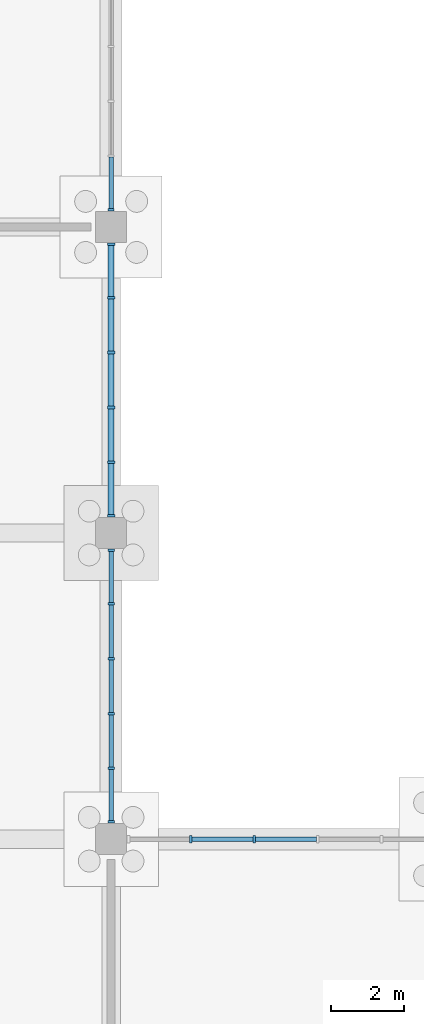
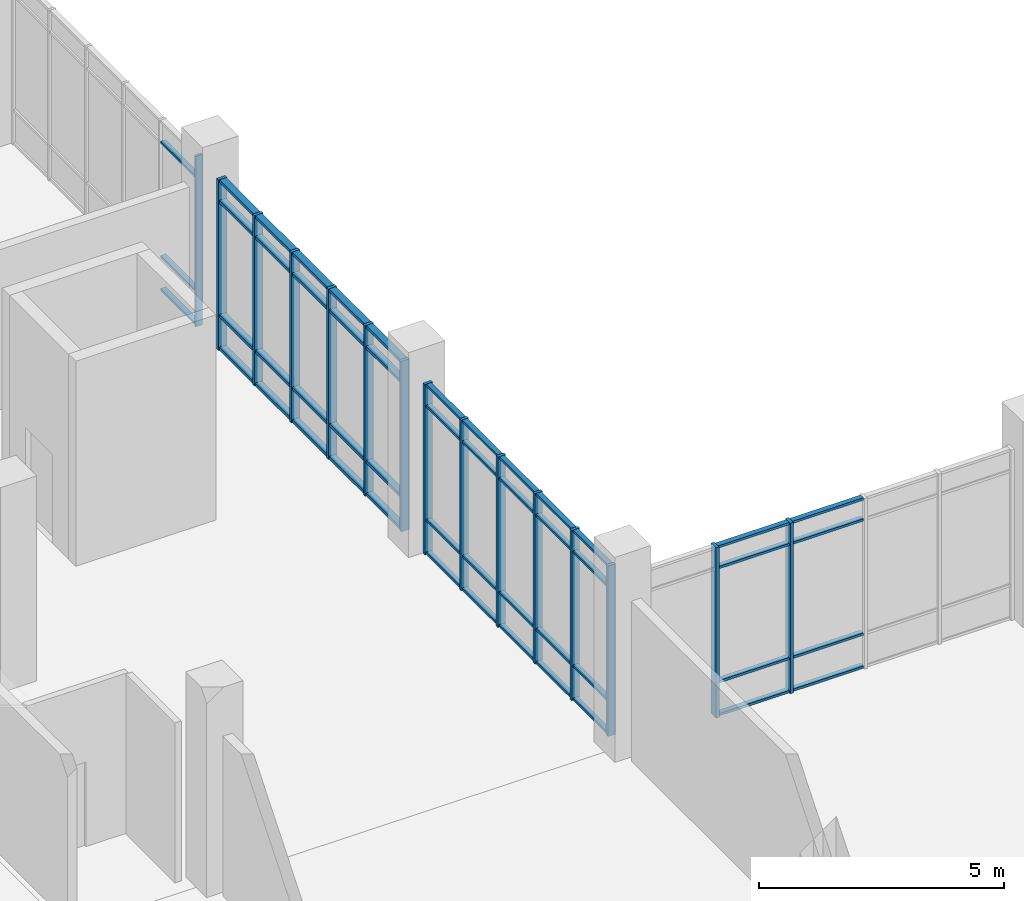
# One storey, part 31 of 136: 66 members, 4 elements without a shape of their own.
"""IFC4 building model written with IfcOpenShell, lengths in metres."""

from ifc_helpers import new_model, si_unit, direction, frame, origin, origin_2d, place, context, subcontext, project, spatial, rectangle, extrude, material, material_profile, profile_set, type_object, element, aggregate, save


model = new_model("IFC4")

# Units and contexts
model_context = context("Model", 3, precision=1e-05, world=origin(), true_north=direction((0.0, 1.0)))
body_context = subcontext(model_context, "Body", "Model", "MODEL_VIEW")
ifc_project = project(units=[si_unit("LENGTHUNIT", "METRE"), si_unit("AREAUNIT", "SQUARE_METRE"), si_unit("VOLUMEUNIT", "CUBIC_METRE"), si_unit("PLANEANGLEUNIT", "RADIAN"), si_unit("MASSUNIT", "GRAM", prefix="KILO")], contexts=[model_context])

# Site, building, storey
site_placement = place(None, origin())
site = spatial("IfcSite", under=ifc_project, at=site_placement, CompositionType="ELEMENT")
building_placement = place(site_placement, origin())
building = spatial("IfcBuilding", under=site, at=building_placement, Name="Oolite Switchyard Hospital", CompositionType="ELEMENT")
storey_placement = place(building_placement, origin())
storey = spatial("IfcBuildingStorey", under=building, at=storey_placement, Name="L00", CompositionType="ELEMENT", Elevation=0.0)

# Curtain wall, member
ifc_material_1 = material(Name="Thermally broken aluminum frame with laminated impact glazing", Category="aluminium")
curtain_wall_type_1 = type_object("IfcCurtainWallType", Name="CW-UNIT-84X51", PredefinedType="USERDEFINED", material=ifc_material_1)
curtain_wall_1_placement = place(storey_placement, origin())
curtain_wall_1 = element("IfcCurtainWall", 1, at=curtain_wall_1_placement, inside=storey, type_object=curtain_wall_type_1, Name="L00 Unitised Curtain Wall 60", ObjectType="UNITISED", PredefinedType="USERDEFINED")
ifc_material_2 = material(Name="Aluminium 6063-T6", Category="aluminium")
ifc_material_profile_1 = material_profile(ifc_material_2, rectangle(XDim=0.159912109375, YDim=0.06005859375, at=origin_2d()), Name="CWM60X160")
ifc_profile_set_1 = profile_set([ifc_material_profile_1], Name="Aluminium 6063-T6")
member_type_1 = type_object("IfcMemberType", Name="CW-MUL-180", PredefinedType="MULLION", material=ifc_profile_set_1)
member_1_placement = place(storey_placement, frame((57.60009765625, 50.8701171875, 0.0), z_axis=(0.0, 0.0, 1.0), x_axis=(1.0, 0.0, 0.0)))
member_1 = element("IfcMember", 2, at=member_1_placement, type_object=member_type_1, Name="CW-06 mullion 6", PredefinedType="MULLION", context=body_context, shape_type="SweptSolid", body=[
    extrude(rectangle(XDim=0.159912109375, YDim=0.06005859375, at=origin_2d()), origin(), (0.0, 0.0, 1.0), 4.239990234375),
])

# Curtain wall, members
curtain_wall_2_placement = place(storey_placement, origin())
curtain_wall_2 = element("IfcCurtainWall", 3, at=curtain_wall_2_placement, inside=storey, type_object=curtain_wall_type_1, Name="L00 Unitised Curtain Wall 58", ObjectType="UNITISED", PredefinedType="USERDEFINED")
ifc_material_profile_2 = material_profile(ifc_material_2, rectangle(XDim=0.179931640625, YDim=0.070068359375, at=origin_2d()), Name="CWM70X180")
ifc_profile_set_2 = profile_set([ifc_material_profile_2], Name="Aluminium 6063-T6")
member_type_2 = type_object("IfcMemberType", Name="CW-MUL-220", PredefinedType="MULLION", material=ifc_profile_set_2)
member_2_placement = place(storey_placement, frame((57.60009765625, 41.52490234375, 0.0), z_axis=(0.0, 0.0, 1.0), x_axis=(1.0, 0.0, 0.0)))
member_2 = element("IfcMember", 4, at=member_2_placement, type_object=member_type_2, Name="CW-06 mullion 1", PredefinedType="MULLION", context=body_context, shape_type="SweptSolid", body=[
    extrude(rectangle(XDim=0.179931640625, YDim=0.070068359375, at=origin_2d()), origin(), (0.0, 0.0, 1.0), 4.239990234375),
])
member_3_placement = place(storey_placement, frame((57.60009765625, 40.055908203125, 0.0), z_axis=(0.0, 0.0, 1.0), x_axis=(1.0, 0.0, 0.0)))
member_3 = element("IfcMember", 5, at=member_3_placement, type_object=member_type_2, Name="CW-06 mullion 2", PredefinedType="MULLION", context=body_context, shape_type="SweptSolid", body=[
    extrude(rectangle(XDim=0.179931640625, YDim=0.070068359375, at=origin_2d()), origin(), (0.0, 0.0, 1.0), 4.239990234375),
])
member_4_placement = place(storey_placement, frame((57.60009765625, 38.552001953125, 0.0), z_axis=(0.0, 0.0, 1.0), x_axis=(1.0, 0.0, 0.0)))
member_4 = element("IfcMember", 6, at=member_4_placement, type_object=member_type_2, Name="CW-06 mullion 3", PredefinedType="MULLION", context=body_context, shape_type="SweptSolid", body=[
    extrude(rectangle(XDim=0.179931640625, YDim=0.070068359375, at=origin_2d()), origin(), (0.0, 0.0, 1.0), 4.239990234375),
])
member_5_placement = place(storey_placement, frame((57.60009765625, 37.048095703125, 0.0), z_axis=(0.0, 0.0, 1.0), x_axis=(1.0, 0.0, 0.0)))
member_5 = element("IfcMember", 7, at=member_5_placement, type_object=member_type_2, Name="CW-06 mullion 4", PredefinedType="MULLION", context=body_context, shape_type="SweptSolid", body=[
    extrude(rectangle(XDim=0.179931640625, YDim=0.070068359375, at=origin_2d()), origin(), (0.0, 0.0, 1.0), 4.239990234375),
])
member_6_placement = place(storey_placement, frame((57.60009765625, 35.5439453125, 0.0), z_axis=(0.0, 0.0, 1.0), x_axis=(1.0, 0.0, 0.0)))
member_6 = element("IfcMember", 8, at=member_6_placement, type_object=member_type_2, Name="CW-06 mullion 5", PredefinedType="MULLION", context=body_context, shape_type="SweptSolid", body=[
    extrude(rectangle(XDim=0.179931640625, YDim=0.070068359375, at=origin_2d()), origin(), (0.0, 0.0, 1.0), 4.239990234375),
])
member_7_placement = place(storey_placement, frame((57.60009765625, 34.074951171875, 0.0), z_axis=(0.0, 0.0, 1.0), x_axis=(1.0, 0.0, 0.0)))
member_7 = element("IfcMember", 9, at=member_7_placement, type_object=member_type_2, Name="CW-06 mullion 6", PredefinedType="MULLION", context=body_context, shape_type="SweptSolid", body=[
    extrude(rectangle(XDim=0.179931640625, YDim=0.070068359375, at=origin_2d()), origin(), (0.0, 0.0, 1.0), 4.239990234375),
])

curtain_wall_type_2 = type_object("IfcCurtainWallType", Name="CW-UNIT-96X51", PredefinedType="USERDEFINED", material=ifc_material_1)
curtain_wall_3_placement = place(storey_placement, origin())
curtain_wall_3 = element("IfcCurtainWall", 10, at=curtain_wall_3_placement, inside=storey, type_object=curtain_wall_type_2, Name="L00 Unitised Curtain Wall 14", ObjectType="UNITISED", PredefinedType="USERDEFINED")
ifc_material_profile_3 = material_profile(ifc_material_2, rectangle(XDim=0.199951171875, YDim=0.074951171875, at=origin_2d()), Name="CWM75X200")
ifc_profile_set_3 = profile_set([ifc_material_profile_3], Name="Aluminium 6063-T6")
member_type_3 = type_object("IfcMemberType", Name="CW-MUL-260", PredefinedType="MULLION", material=ifc_profile_set_3)
member_8_placement = place(storey_placement, frame((59.783935546875, 33.60009765625, 0.0), z_axis=(0.0, 0.0, 1.0), x_axis=(0.0, 1.0, 0.0)))
member_8 = element("IfcMember", 11, at=member_8_placement, type_object=member_type_3, Name="CW-01 mullion 2", PredefinedType="MULLION", context=body_context, shape_type="SweptSolid", body=[
    extrude(rectangle(XDim=0.199951171875, YDim=0.074951171875, at=origin_2d()), origin(), (0.0, 0.0, 1.0), 4.239990234375),
])
member_9_placement = place(storey_placement, frame((61.528076171875, 33.60009765625, 0.0), z_axis=(0.0, 0.0, 1.0), x_axis=(0.0, 1.0, 0.0)))
member_9 = element("IfcMember", 12, at=member_9_placement, type_object=member_type_3, Name="CW-01 mullion 3", PredefinedType="MULLION", context=body_context, shape_type="SweptSolid", body=[
    extrude(rectangle(XDim=0.199951171875, YDim=0.074951171875, at=origin_2d()), origin(), (0.0, 0.0, 1.0), 4.239990234375),
])

curtain_wall_4_placement = place(storey_placement, origin())
curtain_wall_4 = element("IfcCurtainWall", 13, at=curtain_wall_4_placement, inside=storey, type_object=curtain_wall_type_1, Name="L00 Unitised Curtain Wall 59", ObjectType="UNITISED", PredefinedType="USERDEFINED")
member_10_placement = place(storey_placement, frame((57.60009765625, 49.922607421875, 0.0), z_axis=(0.0, 0.0, 1.0), x_axis=(1.0, 0.0, 0.0)))
member_10 = element("IfcMember", 14, at=member_10_placement, type_object=member_type_3, Name="CW-06 mullion 1", PredefinedType="MULLION", context=body_context, shape_type="SweptSolid", body=[
    extrude(rectangle(XDim=0.199951171875, YDim=0.074951171875, at=origin_2d()), origin(), (0.0, 0.0, 1.0), 4.239990234375),
])
member_11_placement = place(storey_placement, frame((57.60009765625, 48.4560546875, 0.0), z_axis=(0.0, 0.0, 1.0), x_axis=(1.0, 0.0, 0.0)))
member_11 = element("IfcMember", 15, at=member_11_placement, type_object=member_type_3, Name="CW-06 mullion 2", PredefinedType="MULLION", context=body_context, shape_type="SweptSolid", body=[
    extrude(rectangle(XDim=0.199951171875, YDim=0.074951171875, at=origin_2d()), origin(), (0.0, 0.0, 1.0), 4.239990234375),
])
member_12_placement = place(storey_placement, frame((57.60009765625, 46.951904296875, 0.0), z_axis=(0.0, 0.0, 1.0), x_axis=(1.0, 0.0, 0.0)))
member_12 = element("IfcMember", 16, at=member_12_placement, type_object=member_type_3, Name="CW-06 mullion 3", PredefinedType="MULLION", context=body_context, shape_type="SweptSolid", body=[
    extrude(rectangle(XDim=0.199951171875, YDim=0.074951171875, at=origin_2d()), origin(), (0.0, 0.0, 1.0), 4.239990234375),
])
member_13_placement = place(storey_placement, frame((57.60009765625, 45.447998046875, 0.0), z_axis=(0.0, 0.0, 1.0), x_axis=(1.0, 0.0, 0.0)))
member_13 = element("IfcMember", 17, at=member_13_placement, type_object=member_type_3, Name="CW-06 mullion 4", PredefinedType="MULLION", context=body_context, shape_type="SweptSolid", body=[
    extrude(rectangle(XDim=0.199951171875, YDim=0.074951171875, at=origin_2d()), origin(), (0.0, 0.0, 1.0), 4.239990234375),
])
member_14_placement = place(storey_placement, frame((57.60009765625, 43.944091796875, 0.0), z_axis=(0.0, 0.0, 1.0), x_axis=(1.0, 0.0, 0.0)))
member_14 = element("IfcMember", 18, at=member_14_placement, type_object=member_type_3, Name="CW-06 mullion 5", PredefinedType="MULLION", context=body_context, shape_type="SweptSolid", body=[
    extrude(rectangle(XDim=0.199951171875, YDim=0.074951171875, at=origin_2d()), origin(), (0.0, 0.0, 1.0), 4.239990234375),
])
member_15_placement = place(storey_placement, frame((57.60009765625, 42.4775390625, 0.0), z_axis=(0.0, 0.0, 1.0), x_axis=(1.0, 0.0, 0.0)))
member_15 = element("IfcMember", 19, at=member_15_placement, type_object=member_type_3, Name="CW-06 mullion 6", PredefinedType="MULLION", context=body_context, shape_type="SweptSolid", body=[
    extrude(rectangle(XDim=0.199951171875, YDim=0.074951171875, at=origin_2d()), origin(), (0.0, 0.0, 1.0), 4.239990234375),
])

# Member
ifc_material_profile_4 = material_profile(ifc_material_2, rectangle(XDim=0.1201171875, YDim=0.06005859375, at=origin_2d()), Name="CWT60X120")
ifc_profile_set_4 = profile_set([ifc_material_profile_4], Name="Aluminium 6063-T6")
member_type_4 = type_object("IfcMemberType", Name="CW-TRN-150", PredefinedType="USERDEFINED", material=ifc_profile_set_4)
member_16_placement = place(storey_placement, frame((59.821533203125, 33.60009765625, 0.030029296875), z_axis=(1.0, 0.0, 0.0), x_axis=(0.0, 1.0, 0.0)))
member_16 = element("IfcMember", 20, at=member_16_placement, type_object=member_type_4, Name="CW-01 transom 2.1", ObjectType="TRANSOM", PredefinedType="USERDEFINED", context=body_context, shape_type="SweptSolid", body=[
    extrude(rectangle(XDim=0.1201171875, YDim=0.06005859375, at=origin_2d()), origin(), (0.0, 0.0, 1.0), 1.6689453125),
])

member_17_placement = place(storey_placement, frame((59.821533203125, 33.60009765625, 0.85009765625), z_axis=(1.0, 0.0, 0.0), x_axis=(0.0, 1.0, 0.0)))
member_17 = element("IfcMember", 21, at=member_17_placement, type_object=member_type_4, Name="CW-01 transom 2.2", ObjectType="TRANSOM", PredefinedType="USERDEFINED", context=body_context, shape_type="SweptSolid", body=[
    extrude(rectangle(XDim=0.1201171875, YDim=0.06005859375, at=origin_2d()), origin(), (0.0, 0.0, 1.0), 1.6689453125),
])

member_18_placement = place(storey_placement, frame((59.821533203125, 33.60009765625, 3.68994140625), z_axis=(1.0, 0.0, 0.0), x_axis=(0.0, 1.0, 0.0)))
member_18 = element("IfcMember", 22, at=member_18_placement, type_object=member_type_4, Name="CW-01 transom 2.3", ObjectType="TRANSOM", PredefinedType="USERDEFINED", context=body_context, shape_type="SweptSolid", body=[
    extrude(rectangle(XDim=0.1201171875, YDim=0.06005859375, at=origin_2d()), origin(), (0.0, 0.0, 1.0), 1.6689453125),
])

member_19_placement = place(storey_placement, frame((59.821533203125, 33.60009765625, 4.2099609375), z_axis=(1.0, 0.0, 0.0), x_axis=(0.0, 1.0, 0.0)))
member_19 = element("IfcMember", 23, at=member_19_placement, type_object=member_type_4, Name="CW-01 transom 2.4", ObjectType="TRANSOM", PredefinedType="USERDEFINED", context=body_context, shape_type="SweptSolid", body=[
    extrude(rectangle(XDim=0.1201171875, YDim=0.06005859375, at=origin_2d()), origin(), (0.0, 0.0, 1.0), 1.6689453125),
])

member_20_placement = place(storey_placement, frame((61.5654296875, 33.60009765625, 0.030029296875), z_axis=(1.0, 0.0, 0.0), x_axis=(0.0, 1.0, 0.0)))
member_20 = element("IfcMember", 24, at=member_20_placement, type_object=member_type_4, Name="CW-01 transom 3.1", ObjectType="TRANSOM", PredefinedType="USERDEFINED", context=body_context, shape_type="SweptSolid", body=[
    extrude(rectangle(XDim=0.1201171875, YDim=0.06005859375, at=origin_2d()), origin(), (0.0, 0.0, 1.0), 1.669189453125),
])

member_21_placement = place(storey_placement, frame((61.5654296875, 33.60009765625, 0.85009765625), z_axis=(1.0, 0.0, 0.0), x_axis=(0.0, 1.0, 0.0)))
member_21 = element("IfcMember", 25, at=member_21_placement, type_object=member_type_4, Name="CW-01 transom 3.2", ObjectType="TRANSOM", PredefinedType="USERDEFINED", context=body_context, shape_type="SweptSolid", body=[
    extrude(rectangle(XDim=0.1201171875, YDim=0.06005859375, at=origin_2d()), origin(), (0.0, 0.0, 1.0), 1.669189453125),
])

member_22_placement = place(storey_placement, frame((61.5654296875, 33.60009765625, 3.68994140625), z_axis=(1.0, 0.0, 0.0), x_axis=(0.0, 1.0, 0.0)))
member_22 = element("IfcMember", 26, at=member_22_placement, type_object=member_type_4, Name="CW-01 transom 3.3", ObjectType="TRANSOM", PredefinedType="USERDEFINED", context=body_context, shape_type="SweptSolid", body=[
    extrude(rectangle(XDim=0.1201171875, YDim=0.06005859375, at=origin_2d()), origin(), (0.0, 0.0, 1.0), 1.669189453125),
])

member_23_placement = place(storey_placement, frame((61.5654296875, 33.60009765625, 4.2099609375), z_axis=(1.0, 0.0, 0.0), x_axis=(0.0, 1.0, 0.0)))
member_23 = element("IfcMember", 27, at=member_23_placement, type_object=member_type_4, Name="CW-01 transom 3.4", ObjectType="TRANSOM", PredefinedType="USERDEFINED", context=body_context, shape_type="SweptSolid", body=[
    extrude(rectangle(XDim=0.1201171875, YDim=0.06005859375, at=origin_2d()), origin(), (0.0, 0.0, 1.0), 1.669189453125),
])

aggregate(curtain_wall_3, [member_8, member_9, member_16, member_17, member_18, member_19, member_20, member_21, member_22, member_23])

member_24_placement = place(storey_placement, frame((57.60009765625, 41.489990234375, 0.030029296875), z_axis=(0.0, -1.0, 0.0), x_axis=(1.0, 0.0, 0.0)))
member_24 = element("IfcMember", 28, at=member_24_placement, type_object=member_type_4, Name="CW-06 transom 1.1", ObjectType="TRANSOM", PredefinedType="USERDEFINED", context=body_context, shape_type="SweptSolid", body=[
    extrude(rectangle(XDim=0.1201171875, YDim=0.06005859375, at=origin_2d()), origin(), (0.0, 0.0, 1.0), 1.39892578125),
])

member_25_placement = place(storey_placement, frame((57.60009765625, 41.489990234375, 0.85009765625), z_axis=(0.0, -1.0, 0.0), x_axis=(1.0, 0.0, 0.0)))
member_25 = element("IfcMember", 29, at=member_25_placement, type_object=member_type_4, Name="CW-06 transom 1.2", ObjectType="TRANSOM", PredefinedType="USERDEFINED", context=body_context, shape_type="SweptSolid", body=[
    extrude(rectangle(XDim=0.1201171875, YDim=0.06005859375, at=origin_2d()), origin(), (0.0, 0.0, 1.0), 1.39892578125),
])

member_26_placement = place(storey_placement, frame((57.60009765625, 41.489990234375, 3.68994140625), z_axis=(0.0, -1.0, 0.0), x_axis=(1.0, 0.0, 0.0)))
member_26 = element("IfcMember", 30, at=member_26_placement, type_object=member_type_4, Name="CW-06 transom 1.3", ObjectType="TRANSOM", PredefinedType="USERDEFINED", context=body_context, shape_type="SweptSolid", body=[
    extrude(rectangle(XDim=0.1201171875, YDim=0.06005859375, at=origin_2d()), origin(), (0.0, 0.0, 1.0), 1.39892578125),
])

member_27_placement = place(storey_placement, frame((57.60009765625, 41.489990234375, 4.2099609375), z_axis=(0.0, -1.0, 0.0), x_axis=(1.0, 0.0, 0.0)))
member_27 = element("IfcMember", 31, at=member_27_placement, type_object=member_type_4, Name="CW-06 transom 1.4", ObjectType="TRANSOM", PredefinedType="USERDEFINED", context=body_context, shape_type="SweptSolid", body=[
    extrude(rectangle(XDim=0.1201171875, YDim=0.06005859375, at=origin_2d()), origin(), (0.0, 0.0, 1.0), 1.39892578125),
])

member_28_placement = place(storey_placement, frame((57.60009765625, 40.02099609375, 0.030029296875), z_axis=(0.0, -1.0, 0.0), x_axis=(1.0, 0.0, 0.0)))
member_28 = element("IfcMember", 32, at=member_28_placement, type_object=member_type_4, Name="CW-06 transom 2.1", ObjectType="TRANSOM", PredefinedType="USERDEFINED", context=body_context, shape_type="SweptSolid", body=[
    extrude(rectangle(XDim=0.1201171875, YDim=0.06005859375, at=origin_2d()), origin(), (0.0, 0.0, 1.0), 1.43408203125),
])

member_29_placement = place(storey_placement, frame((57.60009765625, 40.02099609375, 0.85009765625), z_axis=(0.0, -1.0, 0.0), x_axis=(1.0, 0.0, 0.0)))
member_29 = element("IfcMember", 33, at=member_29_placement, type_object=member_type_4, Name="CW-06 transom 2.2", ObjectType="TRANSOM", PredefinedType="USERDEFINED", context=body_context, shape_type="SweptSolid", body=[
    extrude(rectangle(XDim=0.1201171875, YDim=0.06005859375, at=origin_2d()), origin(), (0.0, 0.0, 1.0), 1.43408203125),
])

member_30_placement = place(storey_placement, frame((57.60009765625, 40.02099609375, 3.68994140625), z_axis=(0.0, -1.0, 0.0), x_axis=(1.0, 0.0, 0.0)))
member_30 = element("IfcMember", 34, at=member_30_placement, type_object=member_type_4, Name="CW-06 transom 2.3", ObjectType="TRANSOM", PredefinedType="USERDEFINED", context=body_context, shape_type="SweptSolid", body=[
    extrude(rectangle(XDim=0.1201171875, YDim=0.06005859375, at=origin_2d()), origin(), (0.0, 0.0, 1.0), 1.43408203125),
])

member_31_placement = place(storey_placement, frame((57.60009765625, 40.02099609375, 4.2099609375), z_axis=(0.0, -1.0, 0.0), x_axis=(1.0, 0.0, 0.0)))
member_31 = element("IfcMember", 35, at=member_31_placement, type_object=member_type_4, Name="CW-06 transom 2.4", ObjectType="TRANSOM", PredefinedType="USERDEFINED", context=body_context, shape_type="SweptSolid", body=[
    extrude(rectangle(XDim=0.1201171875, YDim=0.06005859375, at=origin_2d()), origin(), (0.0, 0.0, 1.0), 1.43408203125),
])

member_32_placement = place(storey_placement, frame((57.60009765625, 38.51708984375, 0.030029296875), z_axis=(0.0, -1.0, 0.0), x_axis=(1.0, 0.0, 0.0)))
member_32 = element("IfcMember", 36, at=member_32_placement, type_object=member_type_4, Name="CW-06 transom 3.1", ObjectType="TRANSOM", PredefinedType="USERDEFINED", context=body_context, shape_type="SweptSolid", body=[
    extrude(rectangle(XDim=0.1201171875, YDim=0.06005859375, at=origin_2d()), origin(), (0.0, 0.0, 1.0), 1.43408203125),
])

member_33_placement = place(storey_placement, frame((57.60009765625, 38.51708984375, 0.85009765625), z_axis=(0.0, -1.0, 0.0), x_axis=(1.0, 0.0, 0.0)))
member_33 = element("IfcMember", 37, at=member_33_placement, type_object=member_type_4, Name="CW-06 transom 3.2", ObjectType="TRANSOM", PredefinedType="USERDEFINED", context=body_context, shape_type="SweptSolid", body=[
    extrude(rectangle(XDim=0.1201171875, YDim=0.06005859375, at=origin_2d()), origin(), (0.0, 0.0, 1.0), 1.43408203125),
])

member_34_placement = place(storey_placement, frame((57.60009765625, 38.51708984375, 3.68994140625), z_axis=(0.0, -1.0, 0.0), x_axis=(1.0, 0.0, 0.0)))
member_34 = element("IfcMember", 38, at=member_34_placement, type_object=member_type_4, Name="CW-06 transom 3.3", ObjectType="TRANSOM", PredefinedType="USERDEFINED", context=body_context, shape_type="SweptSolid", body=[
    extrude(rectangle(XDim=0.1201171875, YDim=0.06005859375, at=origin_2d()), origin(), (0.0, 0.0, 1.0), 1.43408203125),
])

member_35_placement = place(storey_placement, frame((57.60009765625, 38.51708984375, 4.2099609375), z_axis=(0.0, -1.0, 0.0), x_axis=(1.0, 0.0, 0.0)))
member_35 = element("IfcMember", 39, at=member_35_placement, type_object=member_type_4, Name="CW-06 transom 3.4", ObjectType="TRANSOM", PredefinedType="USERDEFINED", context=body_context, shape_type="SweptSolid", body=[
    extrude(rectangle(XDim=0.1201171875, YDim=0.06005859375, at=origin_2d()), origin(), (0.0, 0.0, 1.0), 1.43408203125),
])

member_36_placement = place(storey_placement, frame((57.60009765625, 37.012939453125, 0.030029296875), z_axis=(0.0, -1.0, 0.0), x_axis=(1.0, 0.0, 0.0)))
member_36 = element("IfcMember", 40, at=member_36_placement, type_object=member_type_4, Name="CW-06 transom 4.1", ObjectType="TRANSOM", PredefinedType="USERDEFINED", context=body_context, shape_type="SweptSolid", body=[
    extrude(rectangle(XDim=0.1201171875, YDim=0.06005859375, at=origin_2d()), origin(), (0.0, 0.0, 1.0), 1.433837890625),
])

member_37_placement = place(storey_placement, frame((57.60009765625, 37.012939453125, 0.85009765625), z_axis=(0.0, -1.0, 0.0), x_axis=(1.0, 0.0, 0.0)))
member_37 = element("IfcMember", 41, at=member_37_placement, type_object=member_type_4, Name="CW-06 transom 4.2", ObjectType="TRANSOM", PredefinedType="USERDEFINED", context=body_context, shape_type="SweptSolid", body=[
    extrude(rectangle(XDim=0.1201171875, YDim=0.06005859375, at=origin_2d()), origin(), (0.0, 0.0, 1.0), 1.433837890625),
])

member_38_placement = place(storey_placement, frame((57.60009765625, 37.012939453125, 3.68994140625), z_axis=(0.0, -1.0, 0.0), x_axis=(1.0, 0.0, 0.0)))
member_38 = element("IfcMember", 42, at=member_38_placement, type_object=member_type_4, Name="CW-06 transom 4.3", ObjectType="TRANSOM", PredefinedType="USERDEFINED", context=body_context, shape_type="SweptSolid", body=[
    extrude(rectangle(XDim=0.1201171875, YDim=0.06005859375, at=origin_2d()), origin(), (0.0, 0.0, 1.0), 1.433837890625),
])

member_39_placement = place(storey_placement, frame((57.60009765625, 37.012939453125, 4.2099609375), z_axis=(0.0, -1.0, 0.0), x_axis=(1.0, 0.0, 0.0)))
member_39 = element("IfcMember", 43, at=member_39_placement, type_object=member_type_4, Name="CW-06 transom 4.4", ObjectType="TRANSOM", PredefinedType="USERDEFINED", context=body_context, shape_type="SweptSolid", body=[
    extrude(rectangle(XDim=0.1201171875, YDim=0.06005859375, at=origin_2d()), origin(), (0.0, 0.0, 1.0), 1.433837890625),
])

member_40_placement = place(storey_placement, frame((57.60009765625, 35.509033203125, 0.030029296875), z_axis=(0.0, -1.0, 0.0), x_axis=(1.0, 0.0, 0.0)))
member_40 = element("IfcMember", 44, at=member_40_placement, type_object=member_type_4, Name="CW-06 transom 5.1", ObjectType="TRANSOM", PredefinedType="USERDEFINED", context=body_context, shape_type="SweptSolid", body=[
    extrude(rectangle(XDim=0.1201171875, YDim=0.06005859375, at=origin_2d()), origin(), (0.0, 0.0, 1.0), 1.39892578125),
])

member_41_placement = place(storey_placement, frame((57.60009765625, 35.509033203125, 0.85009765625), z_axis=(0.0, -1.0, 0.0), x_axis=(1.0, 0.0, 0.0)))
member_41 = element("IfcMember", 45, at=member_41_placement, type_object=member_type_4, Name="CW-06 transom 5.2", ObjectType="TRANSOM", PredefinedType="USERDEFINED", context=body_context, shape_type="SweptSolid", body=[
    extrude(rectangle(XDim=0.1201171875, YDim=0.06005859375, at=origin_2d()), origin(), (0.0, 0.0, 1.0), 1.39892578125),
])

member_42_placement = place(storey_placement, frame((57.60009765625, 35.509033203125, 3.68994140625), z_axis=(0.0, -1.0, 0.0), x_axis=(1.0, 0.0, 0.0)))
member_42 = element("IfcMember", 46, at=member_42_placement, type_object=member_type_4, Name="CW-06 transom 5.3", ObjectType="TRANSOM", PredefinedType="USERDEFINED", context=body_context, shape_type="SweptSolid", body=[
    extrude(rectangle(XDim=0.1201171875, YDim=0.06005859375, at=origin_2d()), origin(), (0.0, 0.0, 1.0), 1.39892578125),
])

member_43_placement = place(storey_placement, frame((57.60009765625, 35.509033203125, 4.2099609375), z_axis=(0.0, -1.0, 0.0), x_axis=(1.0, 0.0, 0.0)))
member_43 = element("IfcMember", 47, at=member_43_placement, type_object=member_type_4, Name="CW-06 transom 5.4", ObjectType="TRANSOM", PredefinedType="USERDEFINED", context=body_context, shape_type="SweptSolid", body=[
    extrude(rectangle(XDim=0.1201171875, YDim=0.06005859375, at=origin_2d()), origin(), (0.0, 0.0, 1.0), 1.39892578125),
])

aggregate(curtain_wall_2, [member_2, member_3, member_4, member_5, member_6, member_7, member_24, member_25, member_26, member_27, member_28, member_29, member_30, member_31, member_32, member_33, member_34, member_35, member_36, member_37, member_38, member_39, member_40, member_41, member_42, member_43])

member_44_placement = place(storey_placement, frame((57.60009765625, 52.31396484375, 0.030029296875), z_axis=(0.0, -1.0, 0.0), x_axis=(1.0, 0.0, 0.0)))
member_44 = element("IfcMember", 48, at=member_44_placement, type_object=member_type_4, Name="CW-06 transom 5.1", ObjectType="TRANSOM", PredefinedType="USERDEFINED", context=body_context, shape_type="SweptSolid", body=[
    extrude(rectangle(XDim=0.1201171875, YDim=0.06005859375, at=origin_2d()), origin(), (0.0, 0.0, 1.0), 1.4140625),
])

member_45_placement = place(storey_placement, frame((57.60009765625, 52.31396484375, 0.85009765625), z_axis=(0.0, -1.0, 0.0), x_axis=(1.0, 0.0, 0.0)))
member_45 = element("IfcMember", 49, at=member_45_placement, type_object=member_type_4, Name="CW-06 transom 5.2", ObjectType="TRANSOM", PredefinedType="USERDEFINED", context=body_context, shape_type="SweptSolid", body=[
    extrude(rectangle(XDim=0.1201171875, YDim=0.06005859375, at=origin_2d()), origin(), (0.0, 0.0, 1.0), 1.4140625),
])

member_46_placement = place(storey_placement, frame((57.60009765625, 52.31396484375, 3.68994140625), z_axis=(0.0, -1.0, 0.0), x_axis=(1.0, 0.0, 0.0)))
member_46 = element("IfcMember", 50, at=member_46_placement, type_object=member_type_4, Name="CW-06 transom 5.3", ObjectType="TRANSOM", PredefinedType="USERDEFINED", context=body_context, shape_type="SweptSolid", body=[
    extrude(rectangle(XDim=0.1201171875, YDim=0.06005859375, at=origin_2d()), origin(), (0.0, 0.0, 1.0), 1.4140625),
])

aggregate(curtain_wall_1, [member_1, member_44, member_45, member_46])

ifc_material_profile_5 = material_profile(ifc_material_2, rectangle(XDim=0.159912109375, YDim=0.074951171875, at=origin_2d()), Name="CWT75X160")
ifc_profile_set_5 = profile_set([ifc_material_profile_5], Name="Aluminium 6063-T6")
member_type_5 = type_object("IfcMemberType", Name="CW-TRN-180", PredefinedType="USERDEFINED", material=ifc_profile_set_5)
member_47_placement = place(storey_placement, frame((57.60009765625, 49.885009765625, 0.03759765625), z_axis=(0.0, -1.0, 0.0), x_axis=(1.0, 0.0, 0.0)))
member_47 = element("IfcMember", 51, at=member_47_placement, type_object=member_type_5, Name="CW-06 transom 1.1", ObjectType="TRANSOM", PredefinedType="USERDEFINED", context=body_context, shape_type="SweptSolid", body=[
    extrude(rectangle(XDim=0.159912109375, YDim=0.074951171875, at=origin_2d()), origin(), (0.0, 0.0, 1.0), 1.3916015625),
])

member_48_placement = place(storey_placement, frame((57.60009765625, 49.885009765625, 0.85009765625), z_axis=(0.0, -1.0, 0.0), x_axis=(1.0, 0.0, 0.0)))
member_48 = element("IfcMember", 52, at=member_48_placement, type_object=member_type_5, Name="CW-06 transom 1.2", ObjectType="TRANSOM", PredefinedType="USERDEFINED", context=body_context, shape_type="SweptSolid", body=[
    extrude(rectangle(XDim=0.159912109375, YDim=0.074951171875, at=origin_2d()), origin(), (0.0, 0.0, 1.0), 1.3916015625),
])

member_49_placement = place(storey_placement, frame((57.60009765625, 49.885009765625, 3.68994140625), z_axis=(0.0, -1.0, 0.0), x_axis=(1.0, 0.0, 0.0)))
member_49 = element("IfcMember", 53, at=member_49_placement, type_object=member_type_5, Name="CW-06 transom 1.3", ObjectType="TRANSOM", PredefinedType="USERDEFINED", context=body_context, shape_type="SweptSolid", body=[
    extrude(rectangle(XDim=0.159912109375, YDim=0.074951171875, at=origin_2d()), origin(), (0.0, 0.0, 1.0), 1.3916015625),
])

member_50_placement = place(storey_placement, frame((57.60009765625, 49.885009765625, 4.202392578125), z_axis=(0.0, -1.0, 0.0), x_axis=(1.0, 0.0, 0.0)))
member_50 = element("IfcMember", 54, at=member_50_placement, type_object=member_type_5, Name="CW-06 transom 1.4", ObjectType="TRANSOM", PredefinedType="USERDEFINED", context=body_context, shape_type="SweptSolid", body=[
    extrude(rectangle(XDim=0.159912109375, YDim=0.074951171875, at=origin_2d()), origin(), (0.0, 0.0, 1.0), 1.3916015625),
])

member_51_placement = place(storey_placement, frame((57.60009765625, 48.41845703125, 0.03759765625), z_axis=(0.0, -1.0, 0.0), x_axis=(1.0, 0.0, 0.0)))
member_51 = element("IfcMember", 55, at=member_51_placement, type_object=member_type_5, Name="CW-06 transom 2.1", ObjectType="TRANSOM", PredefinedType="USERDEFINED", context=body_context, shape_type="SweptSolid", body=[
    extrude(rectangle(XDim=0.159912109375, YDim=0.074951171875, at=origin_2d()), origin(), (0.0, 0.0, 1.0), 1.428955078125),
])

member_52_placement = place(storey_placement, frame((57.60009765625, 48.41845703125, 0.85009765625), z_axis=(0.0, -1.0, 0.0), x_axis=(1.0, 0.0, 0.0)))
member_52 = element("IfcMember", 56, at=member_52_placement, type_object=member_type_5, Name="CW-06 transom 2.2", ObjectType="TRANSOM", PredefinedType="USERDEFINED", context=body_context, shape_type="SweptSolid", body=[
    extrude(rectangle(XDim=0.159912109375, YDim=0.074951171875, at=origin_2d()), origin(), (0.0, 0.0, 1.0), 1.428955078125),
])

member_53_placement = place(storey_placement, frame((57.60009765625, 48.41845703125, 3.68994140625), z_axis=(0.0, -1.0, 0.0), x_axis=(1.0, 0.0, 0.0)))
member_53 = element("IfcMember", 57, at=member_53_placement, type_object=member_type_5, Name="CW-06 transom 2.3", ObjectType="TRANSOM", PredefinedType="USERDEFINED", context=body_context, shape_type="SweptSolid", body=[
    extrude(rectangle(XDim=0.159912109375, YDim=0.074951171875, at=origin_2d()), origin(), (0.0, 0.0, 1.0), 1.428955078125),
])

member_54_placement = place(storey_placement, frame((57.60009765625, 48.41845703125, 4.202392578125), z_axis=(0.0, -1.0, 0.0), x_axis=(1.0, 0.0, 0.0)))
member_54 = element("IfcMember", 58, at=member_54_placement, type_object=member_type_5, Name="CW-06 transom 2.4", ObjectType="TRANSOM", PredefinedType="USERDEFINED", context=body_context, shape_type="SweptSolid", body=[
    extrude(rectangle(XDim=0.159912109375, YDim=0.074951171875, at=origin_2d()), origin(), (0.0, 0.0, 1.0), 1.428955078125),
])

member_55_placement = place(storey_placement, frame((57.60009765625, 46.91455078125, 0.03759765625), z_axis=(0.0, -1.0, 0.0), x_axis=(1.0, 0.0, 0.0)))
member_55 = element("IfcMember", 59, at=member_55_placement, type_object=member_type_5, Name="CW-06 transom 3.1", ObjectType="TRANSOM", PredefinedType="USERDEFINED", context=body_context, shape_type="SweptSolid", body=[
    extrude(rectangle(XDim=0.159912109375, YDim=0.074951171875, at=origin_2d()), origin(), (0.0, 0.0, 1.0), 1.428955078125),
])

member_56_placement = place(storey_placement, frame((57.60009765625, 46.91455078125, 0.85009765625), z_axis=(0.0, -1.0, 0.0), x_axis=(1.0, 0.0, 0.0)))
member_56 = element("IfcMember", 60, at=member_56_placement, type_object=member_type_5, Name="CW-06 transom 3.2", ObjectType="TRANSOM", PredefinedType="USERDEFINED", context=body_context, shape_type="SweptSolid", body=[
    extrude(rectangle(XDim=0.159912109375, YDim=0.074951171875, at=origin_2d()), origin(), (0.0, 0.0, 1.0), 1.428955078125),
])

member_57_placement = place(storey_placement, frame((57.60009765625, 46.91455078125, 3.68994140625), z_axis=(0.0, -1.0, 0.0), x_axis=(1.0, 0.0, 0.0)))
member_57 = element("IfcMember", 61, at=member_57_placement, type_object=member_type_5, Name="CW-06 transom 3.3", ObjectType="TRANSOM", PredefinedType="USERDEFINED", context=body_context, shape_type="SweptSolid", body=[
    extrude(rectangle(XDim=0.159912109375, YDim=0.074951171875, at=origin_2d()), origin(), (0.0, 0.0, 1.0), 1.428955078125),
])

member_58_placement = place(storey_placement, frame((57.60009765625, 46.91455078125, 4.202392578125), z_axis=(0.0, -1.0, 0.0), x_axis=(1.0, 0.0, 0.0)))
member_58 = element("IfcMember", 62, at=member_58_placement, type_object=member_type_5, Name="CW-06 transom 3.4", ObjectType="TRANSOM", PredefinedType="USERDEFINED", context=body_context, shape_type="SweptSolid", body=[
    extrude(rectangle(XDim=0.159912109375, YDim=0.074951171875, at=origin_2d()), origin(), (0.0, 0.0, 1.0), 1.428955078125),
])

member_59_placement = place(storey_placement, frame((57.60009765625, 45.410400390625, 0.03759765625), z_axis=(0.0, -1.0, 0.0), x_axis=(1.0, 0.0, 0.0)))
member_59 = element("IfcMember", 63, at=member_59_placement, type_object=member_type_5, Name="CW-06 transom 4.1", ObjectType="TRANSOM", PredefinedType="USERDEFINED", context=body_context, shape_type="SweptSolid", body=[
    extrude(rectangle(XDim=0.159912109375, YDim=0.074951171875, at=origin_2d()), origin(), (0.0, 0.0, 1.0), 1.428955078125),
])

member_60_placement = place(storey_placement, frame((57.60009765625, 45.410400390625, 0.85009765625), z_axis=(0.0, -1.0, 0.0), x_axis=(1.0, 0.0, 0.0)))
member_60 = element("IfcMember", 64, at=member_60_placement, type_object=member_type_5, Name="CW-06 transom 4.2", ObjectType="TRANSOM", PredefinedType="USERDEFINED", context=body_context, shape_type="SweptSolid", body=[
    extrude(rectangle(XDim=0.159912109375, YDim=0.074951171875, at=origin_2d()), origin(), (0.0, 0.0, 1.0), 1.428955078125),
])

member_61_placement = place(storey_placement, frame((57.60009765625, 45.410400390625, 3.68994140625), z_axis=(0.0, -1.0, 0.0), x_axis=(1.0, 0.0, 0.0)))
member_61 = element("IfcMember", 65, at=member_61_placement, type_object=member_type_5, Name="CW-06 transom 4.3", ObjectType="TRANSOM", PredefinedType="USERDEFINED", context=body_context, shape_type="SweptSolid", body=[
    extrude(rectangle(XDim=0.159912109375, YDim=0.074951171875, at=origin_2d()), origin(), (0.0, 0.0, 1.0), 1.428955078125),
])

member_62_placement = place(storey_placement, frame((57.60009765625, 45.410400390625, 4.202392578125), z_axis=(0.0, -1.0, 0.0), x_axis=(1.0, 0.0, 0.0)))
member_62 = element("IfcMember", 66, at=member_62_placement, type_object=member_type_5, Name="CW-06 transom 4.4", ObjectType="TRANSOM", PredefinedType="USERDEFINED", context=body_context, shape_type="SweptSolid", body=[
    extrude(rectangle(XDim=0.159912109375, YDim=0.074951171875, at=origin_2d()), origin(), (0.0, 0.0, 1.0), 1.428955078125),
])

member_63_placement = place(storey_placement, frame((57.60009765625, 43.906494140625, 0.03759765625), z_axis=(0.0, -1.0, 0.0), x_axis=(1.0, 0.0, 0.0)))
member_63 = element("IfcMember", 67, at=member_63_placement, type_object=member_type_5, Name="CW-06 transom 5.1", ObjectType="TRANSOM", PredefinedType="USERDEFINED", context=body_context, shape_type="SweptSolid", body=[
    extrude(rectangle(XDim=0.159912109375, YDim=0.074951171875, at=origin_2d()), origin(), (0.0, 0.0, 1.0), 1.3916015625),
])

member_64_placement = place(storey_placement, frame((57.60009765625, 43.906494140625, 0.85009765625), z_axis=(0.0, -1.0, 0.0), x_axis=(1.0, 0.0, 0.0)))
member_64 = element("IfcMember", 68, at=member_64_placement, type_object=member_type_5, Name="CW-06 transom 5.2", ObjectType="TRANSOM", PredefinedType="USERDEFINED", context=body_context, shape_type="SweptSolid", body=[
    extrude(rectangle(XDim=0.159912109375, YDim=0.074951171875, at=origin_2d()), origin(), (0.0, 0.0, 1.0), 1.3916015625),
])

member_65_placement = place(storey_placement, frame((57.60009765625, 43.906494140625, 3.68994140625), z_axis=(0.0, -1.0, 0.0), x_axis=(1.0, 0.0, 0.0)))
member_65 = element("IfcMember", 69, at=member_65_placement, type_object=member_type_5, Name="CW-06 transom 5.3", ObjectType="TRANSOM", PredefinedType="USERDEFINED", context=body_context, shape_type="SweptSolid", body=[
    extrude(rectangle(XDim=0.159912109375, YDim=0.074951171875, at=origin_2d()), origin(), (0.0, 0.0, 1.0), 1.3916015625),
])

member_66_placement = place(storey_placement, frame((57.60009765625, 43.906494140625, 4.202392578125), z_axis=(0.0, -1.0, 0.0), x_axis=(1.0, 0.0, 0.0)))
member_66 = element("IfcMember", 70, at=member_66_placement, type_object=member_type_5, Name="CW-06 transom 5.4", ObjectType="TRANSOM", PredefinedType="USERDEFINED", context=body_context, shape_type="SweptSolid", body=[
    extrude(rectangle(XDim=0.159912109375, YDim=0.074951171875, at=origin_2d()), origin(), (0.0, 0.0, 1.0), 1.3916015625),
])

aggregate(curtain_wall_4, [member_10, member_11, member_12, member_13, member_14, member_15, member_47, member_48, member_49, member_50, member_51, member_52, member_53, member_54, member_55, member_56, member_57, member_58, member_59, member_60, member_61, member_62, member_63, member_64, member_65, member_66])

save(model, "model.ifc")
